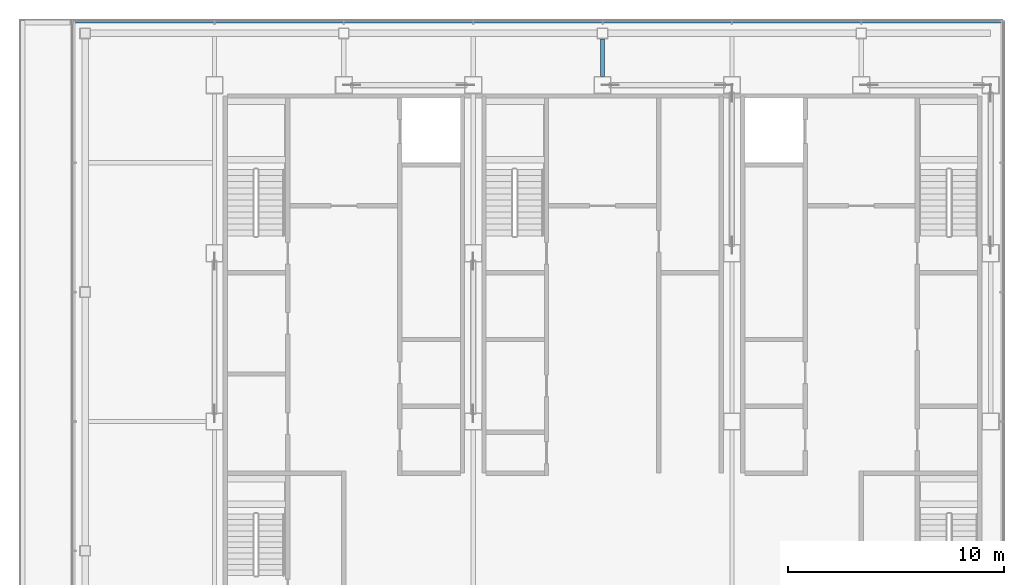
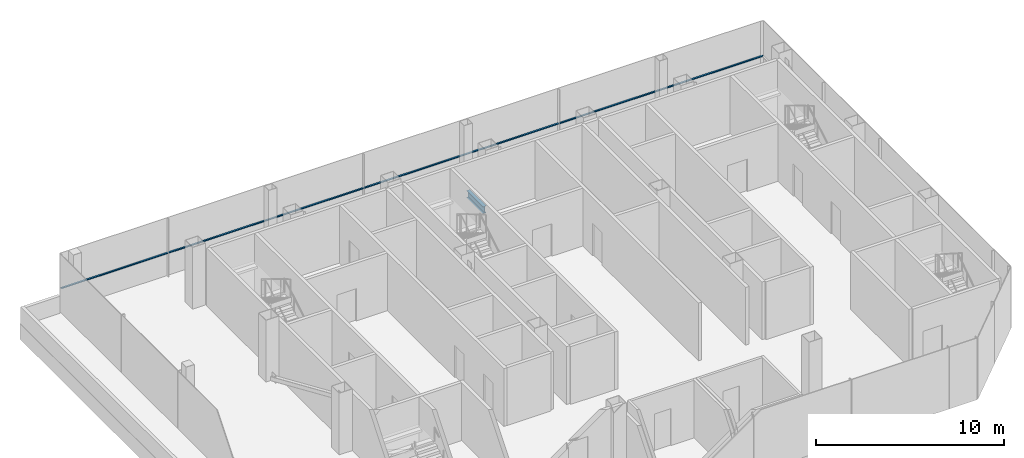
# One storey, part 5 of 11: 1 beam, 1 member, 1 element without a shape of its own.
"""IFC4 building model written with IfcOpenShell, lengths in metres."""

import ifcopenshell
import ifcopenshell.guid

model = None  # the IFC model being written
_history = None  # IfcOwnerHistory: only IFC2X3 demands one
_inside = {}  # id of a spatial element -> (the spatial element, [elements in it])
_under = {}  # id of a project, library or spatial element -> (it, [spatial elements below it])
_declared = {}  # id of a project -> (the project, [libraries it declares])
_typed = {}  # id of a type object -> (the type object, [elements of that type])
_made_of = {}  # id of a material, layer set ... -> (it, [elements and type objects made of it])


def new_model(schema):
    """Start an empty IFC model of exactly this schema.

    Asked for "IFC4X3", IfcOpenShell would pick the latest addendum, in which some entities
    have other attributes; the version numbers below select the first issue.
    IFC2X3 requires an IfcOwnerHistory on every rooted entity: one is made here for all.
    """
    global model, _history
    if schema == "IFC4X3":
        model = ifcopenshell.file(schema_version=(4, 3, 0, 0))
    else:
        model = ifcopenshell.file(schema=schema)
    _inside.clear()
    _under.clear()
    _declared.clear()
    _typed.clear()
    _made_of.clear()
    _history = None
    if model.schema == "IFC2X3":
        org = make("IfcOrganization", Name="unknown")
        user = make(
            "IfcPersonAndOrganization",
            ThePerson=make("IfcPerson", FamilyName="unknown"),
            TheOrganization=org,
        )
        app = make(
            "IfcApplication",
            ApplicationDeveloper=org,
            Version="unknown",
            ApplicationFullName="unknown",
            ApplicationIdentifier="unknown",
        )
        _history = make(
            "IfcOwnerHistory",
            OwningUser=user,
            OwningApplication=app,
            ChangeAction="ADDED",
            CreationDate=0,
        )
    return model


def make(cls, **values):
    """One entity of the class cls with the attributes given. An attribute that is None is left unset."""
    return model.create_entity(
        cls, **{name: value for name, value in values.items() if value is not None}
    )


def rooted(cls, **values):
    """An entity with a GlobalId (a new one), such as an element, a storey or a relation."""
    return make(cls, GlobalId=ifcopenshell.guid.new(), OwnerHistory=_history, **values)


def si_unit(unit_type, name, prefix=None):
    """IfcSIUnit, for example si_unit("LENGTHUNIT", "METRE", prefix="MILLI")."""
    return make("IfcSIUnit", UnitType=unit_type, Prefix=prefix, Name=name)


def assignment(units):
    """IfcUnitAssignment: the units of a project."""
    return None if units is None else make("IfcUnitAssignment", Units=units)


def point(xyz):
    """IfcCartesianPoint."""
    return None if xyz is None else make("IfcCartesianPoint", Coordinates=xyz)


def direction(xyz):
    """IfcDirection."""
    return None if xyz is None else make("IfcDirection", DirectionRatios=xyz)


def frame(location, z_axis=None, x_axis=None):
    """IfcAxis2Placement3D, a coordinate frame: its origin and axes. An axis left out is left unset."""
    return make(
        "IfcAxis2Placement3D",
        Location=point(location),
        Axis=direction(z_axis),
        RefDirection=direction(x_axis),
    )


def frame_2d(location, x_axis=None):
    """IfcAxis2Placement2D, a coordinate frame in the plane: its origin and x axis."""
    return make(
        "IfcAxis2Placement2D", Location=point(location), RefDirection=direction(x_axis)
    )


def origin():
    """The frame at (0, 0, 0) with its axes left unset."""
    return frame((0.0, 0.0, 0.0))


def origin_2d():
    """The frame at (0, 0) in the plane with its x axis left unset."""
    return frame_2d((0.0, 0.0))


def place(relative_to, where):
    """IfcLocalPlacement: puts the frame where relative to a parent placement (None: the world)."""
    return make(
        "IfcLocalPlacement", PlacementRelTo=relative_to, RelativePlacement=where
    )


def context(
    kind, dimensions, precision=None, world=None, true_north=None, identifier=None
):
    """IfcGeometricRepresentationContext, for example the 3D "Model" context."""
    return make(
        "IfcGeometricRepresentationContext",
        ContextIdentifier=identifier,
        ContextType=kind,
        CoordinateSpaceDimension=dimensions,
        Precision=precision,
        WorldCoordinateSystem=world,
        TrueNorth=true_north,
    )


def subcontext(parent, identifier, kind, view, scale=None):
    """IfcGeometricRepresentationSubContext, for example "Body" below "Model"."""
    return make(
        "IfcGeometricRepresentationSubContext",
        ContextIdentifier=identifier,
        ContextType=kind,
        ParentContext=parent,
        TargetScale=scale,
        TargetView=view,
    )


def project(units=None, contexts=None):
    """IfcProject with its units and contexts."""
    return rooted(
        "IfcProject",
        Name="project",
        RepresentationContexts=contexts,
        UnitsInContext=assignment(units),
    )


def spatial(cls, under=None, at=None, **own):
    """A site, building, storey or space (cls), placed at a placement, below another one or the project."""
    s = rooted(cls, ObjectPlacement=at, **own)
    if under is not None:
        _under.setdefault(under.id(), (under, []))[1].append(s)
    return s


def profile(cls, at=None, kind="AREA", **sizes):
    """A parametric profile (cls). Its sizes go by their IFC names, for example OverallWidth=200.0."""
    return make(cls, ProfileType=kind, Position=at, **sizes)


def rectangle(**sizes):
    """IfcRectangleProfileDef."""
    return profile("IfcRectangleProfileDef", **sizes)


def i_section(**sizes):
    """IfcIShapeProfileDef."""
    return profile("IfcIShapeProfileDef", **sizes)


def extrude(swept, where, along, depth):
    """IfcExtrudedAreaSolid: the profile swept, set in the frame where, extruded along a direction by depth."""
    return make(
        "IfcExtrudedAreaSolid",
        SweptArea=swept,
        Position=where,
        ExtrudedDirection=direction(along),
        Depth=depth,
    )


def shape(context_of_items, identifier, shape_type, items):
    """IfcShapeRepresentation: the items that make up one representation, for example the "Body"."""
    return make(
        "IfcShapeRepresentation",
        ContextOfItems=context_of_items,
        RepresentationIdentifier=identifier,
        RepresentationType=shape_type,
        Items=items,
    )


def material(Name=None, Category=None):
    """IfcMaterial."""
    return make("IfcMaterial", Name=Name, Category=Category)


def material_profile(
    of_material, cross_section, Name=None, Category=None, Priority=None
):
    """IfcMaterialProfile: a cross section and its material."""
    return make(
        "IfcMaterialProfile",
        Name=Name,
        Material=of_material,
        Profile=cross_section,
        Priority=Priority,
        Category=Category,
    )


def profile_set(profiles, Name=None, composite=None):
    """IfcMaterialProfileSet."""
    return make(
        "IfcMaterialProfileSet",
        Name=Name,
        MaterialProfiles=profiles,
        CompositeProfile=composite,
    )


def made_of(thing, what):
    """Note that an element or type object is made of a material, layer set ...; save() writes the relation."""
    if what is not None:
        _made_of.setdefault(what.id(), (what, []))[1].append(thing)
    return thing


def type_object(cls, material=None, **own):
    """A type object (cls), such as IfcWallType, which elements share."""
    return made_of(rooted(cls, **own), material)


def element(
    cls,
    number,
    at=None,
    inside=None,
    cuts=None,
    type_object=None,
    material=None,
    context=None,
    identifier="Body",
    shape_type=None,
    held_by="IfcProductDefinitionShape",
    body=None,
    shapes=None,
    **own,
):
    """One element of the class cls, such as IfcWall. Its Tag is "e" and its number.

    at: its placement. inside: the storey or other place that contains it. cuts: it is an
    opening in that element (IfcRelVoidsElement). A single representation is given by context,
    identifier, shape_type and body (its items); several are given by shapes. held_by: the class
    of the entity that holds the representations. save() writes the other relations.
    """
    e = rooted(cls, Tag="e%d" % number, ObjectPlacement=at, **own)
    if body is not None:
        shapes = [shape(context, identifier, shape_type, body)]
    if shapes is not None:
        e.Representation = make(held_by, Representations=shapes)
    if inside is not None:
        _inside.setdefault(inside.id(), (inside, []))[1].append(e)
    if cuts is not None:
        rooted(
            "IfcRelVoidsElement", RelatingBuildingElement=cuts, RelatedOpeningElement=e
        )
    if type_object is not None:
        _typed.setdefault(type_object.id(), (type_object, []))[1].append(e)
    return made_of(e, material)


def aggregate(whole, parts):
    """IfcRelAggregates: a whole, such as a stair, and the parts it consists of."""
    return rooted("IfcRelAggregates", RelatingObject=whole, RelatedObjects=parts)


def save(model, path):
    """Write the relations noted so far, then the file.

    IfcRelAggregates (storeys below a building ...), IfcRelContainedInSpatialStructure (elements
    in a storey), IfcRelDefinesByType, IfcRelAssociatesMaterial and IfcRelDeclares: one each for
    every whole, place, type object, material and project.
    """
    for whole, parts in _under.values():
        aggregate(whole, parts)
    for where, things in _inside.values():
        rooted(
            "IfcRelContainedInSpatialStructure",
            RelatedElements=things,
            RelatingStructure=where,
        )
    for kind, things in _typed.values():
        rooted("IfcRelDefinesByType", RelatedObjects=things, RelatingType=kind)
    for what, things in _made_of.values():
        rooted("IfcRelAssociatesMaterial", RelatedObjects=things, RelatingMaterial=what)
    for by, libraries in _declared.values():
        rooted("IfcRelDeclares", RelatingContext=by, RelatedDefinitions=libraries)
    model.write(path)


model = new_model("IFC4")

# Units and contexts
model_context = context("Model", 3, precision=1e-05, world=origin(), true_north=direction((0.0, 1.0)))
body_context = subcontext(model_context, "Body", "Model", "MODEL_VIEW")
ifc_project = project(units=[si_unit("LENGTHUNIT", "METRE"), si_unit("AREAUNIT", "SQUARE_METRE"), si_unit("VOLUMEUNIT", "CUBIC_METRE"), si_unit("PLANEANGLEUNIT", "RADIAN"), si_unit("MASSUNIT", "GRAM", prefix="KILO")], contexts=[model_context])

# Site, building, storey
site_placement = place(None, origin())
site = spatial("IfcSite", under=ifc_project, at=site_placement, CompositionType="ELEMENT")
building_placement = place(site_placement, origin())
building = spatial("IfcBuilding", under=site, at=building_placement, Name="Sorahane Residences", CompositionType="ELEMENT")
storey_placement = place(building_placement, frame((0.0, 0.0, 349.800048828125)))
storey = spatial("IfcBuildingStorey", under=building, at=storey_placement, Name="L83", CompositionType="ELEMENT", Elevation=349.800048828125)

# Curtain wall, member
ifc_material_1 = material(Name="Dark low-e glass and black anodised aluminium", Category="aluminium")
curtain_wall_type = type_object("IfcCurtainWallType", Name="Curtain wall CW-6 Crown unitised wall", PredefinedType="NOTDEFINED", material=ifc_material_1)
curtain_wall_placement = place(storey_placement, origin())
curtain_wall = element("IfcCurtainWall", 1, at=curtain_wall_placement, inside=storey, type_object=curtain_wall_type, Name="CW-6 curtain wall L83 N1", PredefinedType="NOTDEFINED")
ifc_material_2 = material(Name="Black anodised aluminium", Category="aluminium")
ifc_material_profile_1 = material_profile(ifc_material_2, rectangle(XDim=0.10009765625, YDim=0.06005859375, at=origin_2d()), Name="Curtain wall transom CW-6 black anodised aluminium 60x100")
ifc_profile_set_1 = profile_set([ifc_material_profile_1], Name="Black anodised aluminium")
member_type = type_object("IfcMemberType", Name="Curtain wall transom CW-6 black anodised aluminium 60x100", PredefinedType="USERDEFINED", material=ifc_profile_set_1)
member_placement = place(storey_placement, frame((42.550048828125, 48.530029296875, 1.5), z_axis=(-1.0, 0.0, 0.0), x_axis=(0.0, -1.0, 0.0)))
member = element("IfcMember", 2, at=member_placement, type_object=member_type, Name="CW-6 transom L83 N1", ObjectType="TRANSOM", PredefinedType="USERDEFINED", context=body_context, shape_type="SweptSolid", body=[
    extrude(rectangle(XDim=0.10009765625, YDim=0.06005859375, at=origin_2d()), origin(), (0.0, 0.0, 1.0), 43.10009765625),
])
aggregate(curtain_wall, [member])

# Beam
ifc_material_3 = material(Name="Steel Q355B", Category="steel")
ifc_material_profile_2 = material_profile(ifc_material_3, i_section(OverallWidth=0.199951171875, OverallDepth=0.449951171875, WebThickness=0.009033203125, FlangeThickness=0.013916015625, FilletRadius=0.02001953125, at=origin_2d()), Name="HN 450x200x9x14")
ifc_profile_set_2 = profile_set([ifc_material_profile_2], Name="Steel Q355B")
beam_type = type_object("IfcBeamType", Name="Steel floor beam HN 450x200x9x14 Q355B", PredefinedType="BEAM", material=ifc_profile_set_2)
beam_placement = place(storey_placement, frame((24.0, 46.0, -0.47509765625), z_axis=(0.0, 1.0, 0.0), x_axis=(-1.0, 0.0, 0.0)))
element("IfcBeam", 3, at=beam_placement, inside=storey, type_object=beam_type, Name="Beam L83 018", PredefinedType="BEAM", context=body_context, shape_type="SweptSolid", body=[
    extrude(i_section(OverallWidth=0.199951171875, OverallDepth=0.449951171875, WebThickness=0.009033203125, FlangeThickness=0.013916015625, FilletRadius=0.02001953125, at=origin_2d()), origin(), (0.0, 0.0, 1.0), 1.75),
])

save(model, "model.ifc")
